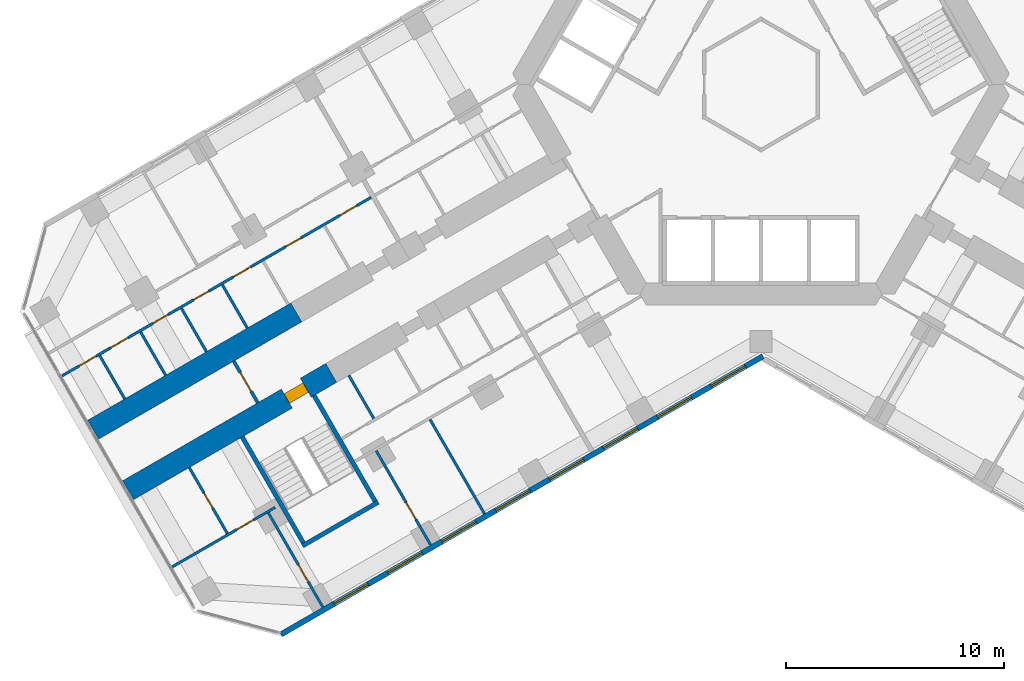
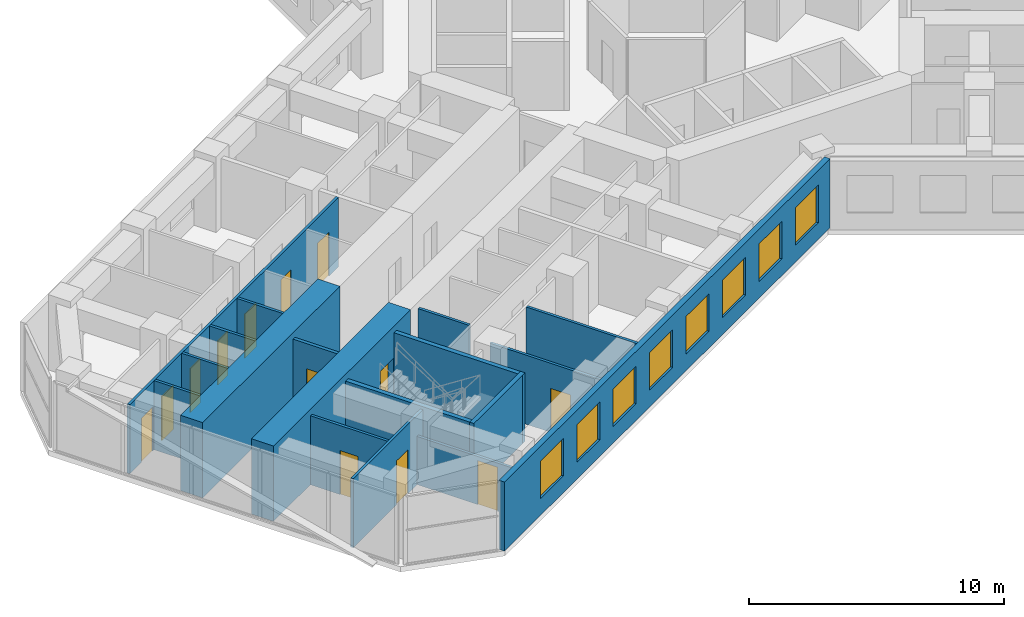
# One storey, part 10 of 21: 18 walls, 13 doors, 8 windows, 21 openings.
"""IFC4 building model written with IfcOpenShell, lengths in metres."""

from ifc_helpers import new_model, si_unit, direction, frame, frame_2d, origin, place, context, subcontext, project, spatial, rectangle, extrude, material, layer, layer_set, type_object, element, fill, save


model = new_model("IFC4")

# Units and contexts
model_context = context("Model", 3, precision=1e-05, world=origin(), true_north=direction((0.0, 1.0)))
body_context = subcontext(model_context, "Body", "Model", "MODEL_VIEW")
ifc_project = project(units=[si_unit("LENGTHUNIT", "METRE"), si_unit("AREAUNIT", "SQUARE_METRE"), si_unit("VOLUMEUNIT", "CUBIC_METRE"), si_unit("PLANEANGLEUNIT", "RADIAN"), si_unit("MASSUNIT", "GRAM", prefix="KILO")], contexts=[model_context])

# Site, building, storey
site_placement = place(None, origin())
site = spatial("IfcSite", under=ifc_project, at=site_placement, CompositionType="ELEMENT")
building_placement = place(site_placement, origin())
building = spatial("IfcBuilding", under=site, at=building_placement, Name="Kosmar Iwan School Tower", CompositionType="ELEMENT")
storey_placement = place(building_placement, frame((0.0, 0.0, 109.60009765625)))
storey = spatial("IfcBuildingStorey", under=building, at=storey_placement, Name="L27", CompositionType="ELEMENT", Elevation=109.60009765625)

# Wall, opening, door
ifc_material_1 = material(Name="Concrete C50/60", Category="concrete")
ifc_layer_1 = layer(ifc_material_1, 1.0)
ifc_layer_set_1 = layer_set([ifc_layer_1], Name="Corridor buttress wall 1000")
wall_type_1 = type_object("IfcWallType", Name="Corridor buttress wall 1000", PredefinedType="SHEAR", material=ifc_layer_set_1)
wall_1_placement = place(storey_placement, frame((-19.681396484375, -13.210693359375, 0.0), z_axis=(0.0, 0.0, 1.0), x_axis=(-0.866028186671, -0.499995179869, 0.0)))
wall_1 = element("IfcWall", 1, at=wall_1_placement, inside=storey, type_object=wall_type_1, Name="Corridor wall BL bay 3", PredefinedType="SHEAR", context=body_context, shape_type="SweptSolid", body=[
    extrude(rectangle(XDim=10.7451171875, YDim=1.0, at=frame_2d((5.37255859375, 0.0))), origin(), (0.0, 0.0, 1.0), 3.599853515625),
])
opening_1_placement = place(wall_1_placement, frame((1.35009765625, 0.0, 0.0)))
opening_1 = element("IfcOpeningElement", 2, at=opening_1_placement, cuts=wall_1, Name="Opening D6", PredefinedType="OPENING", context=body_context, shape_type="SweptSolid", body=[
    extrude(rectangle(XDim=1.0, YDim=2.10009765625, at=frame_2d((0.5, 1.050048828125))), frame((0.0, 0.511962890625, 0.0), z_axis=(0.0, -1.0, 0.0), x_axis=(1.0, 0.0, 0.0)), (0.0, 0.0, 1.0), 1.02392578125),
])
ifc_material_2 = material(Name="Steel fire door", Category="steel")
door_type_1 = type_object("IfcDoorType", Name="Stair door 1000x2100", OperationType="SINGLE_SWING_LEFT", PredefinedType="DOOR", material=ifc_material_2)
door_1_placement = place(opening_1_placement, origin())
door_1 = element("IfcDoor", 3, at=door_1_placement, inside=storey, type_object=door_type_1, Name="Stair WS2 door L27", OperationType="SINGLE_SWING_LEFT", OverallHeight=2.10009765625, OverallWidth=1.0, PredefinedType="DOOR", context=body_context, shape_type="SweptSolid", body=[
    extrude(rectangle(XDim=1.0, YDim=2.10009765625, at=frame_2d((0.5, 1.050048828125))), frame((0.0, 0.25, 0.0), z_axis=(0.0, -1.0, 0.0), x_axis=(1.0, 0.0, 0.0)), (0.0, 0.0, 1.0), 0.5),
])
fill(opening_1, door_1)

# Wall
wall_2_placement = place(storey_placement, frame((-21.281494140625, -10.439453125, 0.0), z_axis=(0.0, 0.0, 1.0), x_axis=(-0.866032345022, -0.499987977232, 0.0)))
element("IfcWall", 4, at=wall_2_placement, inside=storey, type_object=wall_type_1, Name="Corridor wall BR bay 3", PredefinedType="SHEAR", context=body_context, shape_type="SweptSolid", body=[
    extrude(rectangle(XDim=10.744873046875, YDim=1.0, at=frame_2d((5.37255859375, 0.0))), origin(), (0.0, 0.0, 1.0), 3.599853515625),
])

# Wall, opening, door
ifc_material_3 = material(Name="Gypsum board on steel studs, fire-rated", Category="steel")
ifc_layer_2 = layer(ifc_material_3, 0.14990234375)
ifc_layer_set_2 = layer_set([ifc_layer_2], Name="Corridor end wall 150")
wall_type_2 = type_object("IfcWallType", Name="Corridor end wall 150", PredefinedType="PARTITIONING", material=ifc_layer_set_2)
wall_3_placement = place(storey_placement, frame((-24.149169921875, -12.67236328125, 0.0), z_axis=(0.0, 0.0, 1.0), x_axis=(0.50002983664, -0.866008176907, 0.0)))
wall_3 = element("IfcWall", 5, at=wall_3_placement, inside=storey, type_object=wall_type_2, Name="Partition L27-B-CE", PredefinedType="PARTITIONING", context=body_context, shape_type="SweptSolid", body=[
    extrude(rectangle(XDim=2.199951171875, YDim=0.14990234375, at=frame_2d((1.10009765625, 0.0))), origin(), (0.0, 0.0, 1.0), 3.2998046875),
])
opening_2_placement = place(wall_3_placement, frame((0.60009765625, 0.0, 0.0)))
opening_2 = element("IfcOpeningElement", 6, at=opening_2_placement, cuts=wall_3, Name="Opening D13", PredefinedType="OPENING", context=body_context, shape_type="SweptSolid", body=[
    extrude(rectangle(XDim=1.0, YDim=2.10009765625, at=frame_2d((0.5, 1.050048828125))), frame((0.0, 0.0869140625, 0.0), z_axis=(0.0, -1.0, 0.0), x_axis=(1.0, 0.0, 0.0)), (0.0, 0.0, 1.0), 0.173828125),
])
ifc_material_4 = material(Name="Timber fire door with vision panel", Category="wood")
door_type_2 = type_object("IfcDoorType", Name="Corridor end door 1000x2100", OperationType="SINGLE_SWING_LEFT", PredefinedType="DOOR", material=ifc_material_4)
door_2_placement = place(opening_2_placement, origin())
door_2 = element("IfcDoor", 7, at=door_2_placement, inside=storey, type_object=door_type_2, Name="Reading room door L27-B", OperationType="SINGLE_SWING_LEFT", OverallHeight=2.10009765625, OverallWidth=1.0, PredefinedType="DOOR", context=body_context, shape_type="SweptSolid", body=[
    extrude(rectangle(XDim=1.0, YDim=2.10009765625, at=frame_2d((0.5, 1.050048828125))), frame((0.0, 0.02490234375, 0.0), z_axis=(0.0, -1.0, 0.0), x_axis=(1.0, 0.0, 0.0)), (0.0, 0.0, 1.0), 0.050048828125),
])
fill(opening_2, door_2)

# Walls
ifc_material_5 = material(Name="Gypsum board on steel studs", Category="steel")
ifc_layer_3 = layer(ifc_material_5, 0.1201171875)
ifc_layer_set_3 = layer_set([ifc_layer_3], Name="Dwelling partition 120")
wall_type_3 = type_object("IfcWallType", Name="Dwelling partition 120", PredefinedType="PARTITIONING", material=ifc_layer_set_3)
wall_4_placement = place(storey_placement, frame((-15.158447265625, -15.344970703125, 0.0), z_axis=(0.0, 0.0, 1.0), x_axis=(0.500011847778, -0.866018563358, 0.0)))
element("IfcWall", 8, at=wall_4_placement, inside=storey, type_object=wall_type_3, Name="Partition L27-BL2-X1", PredefinedType="PARTITIONING", context=body_context, shape_type="SweptSolid", body=[
    extrude(rectangle(XDim=4.990234375, YDim=0.1201171875, at=frame_2d((2.4951171875, 0.0))), origin(), (0.0, 0.0, 1.0), 3.2998046875),
])
wall_5_placement = place(storey_placement, frame((-18.877197265625, -13.32373046875, 0.0), z_axis=(0.0, 0.0, 1.0), x_axis=(0.500014693593, -0.866016920268, 0.0)))
element("IfcWall", 9, at=wall_5_placement, inside=storey, type_object=wall_type_3, Name="Partition L27-BL2-Y4", PredefinedType="PARTITIONING", context=body_context, shape_type="SweptSolid", body=[
    extrude(rectangle(XDim=2.2900390625, YDim=0.1201171875, at=frame_2d((1.14501953125, 0.0))), origin(), (0.0, 0.0, 1.0), 3.2998046875),
])

# Wall, opening, door
wall_6_placement = place(storey_placement, frame((-17.62646484375, -16.77001953125, 0.0), z_axis=(0.0, 0.0, 1.0), x_axis=(0.499975153383, -0.86603974851, 0.0)))
wall_6 = element("IfcWall", 10, at=wall_6_placement, inside=storey, type_object=wall_type_3, Name="Partition L27-BL2-TB", PredefinedType="PARTITIONING", context=body_context, shape_type="SweptSolid", body=[
    extrude(rectangle(XDim=4.989990234375, YDim=0.1201171875, at=frame_2d((2.4951171875, 0.0))), origin(), (0.0, 0.0, 1.0), 3.2998046875),
])
opening_3_placement = place(wall_6_placement, frame((2.739990234375, 0.0, 0.0)))
opening_3 = element("IfcOpeningElement", 11, at=opening_3_placement, cuts=wall_6, Name="Opening D2", PredefinedType="OPENING", context=body_context, shape_type="SweptSolid", body=[
    extrude(rectangle(XDim=0.89990234375, YDim=2.10009765625, at=frame_2d((0.449951171875, 1.050048828125))), frame((0.0, 0.072021484375, 0.0), z_axis=(0.0, -1.0, 0.0), x_axis=(1.0, 0.0, 0.0)), (0.0, 0.0, 1.0), 0.14404296875),
])
ifc_material_6 = material(Name="Timber door in timber frame", Category="wood")
door_type_3 = type_object("IfcDoorType", Name="Internal door 900x2100", OperationType="SINGLE_SWING_LEFT", PredefinedType="DOOR", material=ifc_material_6)
door_3_placement = place(opening_3_placement, origin())
door_3 = element("IfcDoor", 12, at=door_3_placement, inside=storey, type_object=door_type_3, Name="Study door L27-BL2-F2", OperationType="SINGLE_SWING_RIGHT", OverallHeight=2.10009765625, OverallWidth=0.89990234375, PredefinedType="DOOR", context=body_context, shape_type="SweptSolid", body=[
    extrude(rectangle(XDim=0.89990234375, YDim=2.10009765625, at=frame_2d((0.449951171875, 1.050048828125))), frame((0.0, 0.02490234375, 0.0), z_axis=(0.0, -1.0, 0.0), x_axis=(1.0, 0.0, 0.0)), (0.0, 0.0, 1.0), 0.050048828125),
])
fill(opening_3, door_3)

wall_7_placement = place(storey_placement, frame((-22.562744140625, -19.6201171875, 0.0), z_axis=(0.0, 0.0, 1.0), x_axis=(0.499996339024, -0.86602751744, 0.0)))
wall_7 = element("IfcWall", 13, at=wall_7_placement, inside=storey, type_object=wall_type_3, Name="Partition L27-BL2-TX", PredefinedType="PARTITIONING", context=body_context, shape_type="SweptSolid", body=[
    extrude(rectangle(XDim=4.98974609375, YDim=0.1201171875, at=frame_2d((2.494873046875, 0.0))), origin(), (0.0, 0.0, 1.0), 2.2998046875),
])
opening_4_placement = place(wall_7_placement, frame((2.739990234375, 0.0, 0.0)))
opening_4 = element("IfcOpeningElement", 14, at=opening_4_placement, cuts=wall_7, Name="Opening D2", PredefinedType="OPENING", context=body_context, shape_type="SweptSolid", body=[
    extrude(rectangle(XDim=0.89990234375, YDim=2.10009765625, at=frame_2d((0.449951171875, 1.050048828125))), frame((0.0, 0.072021484375, 0.0), z_axis=(0.0, -1.0, 0.0), x_axis=(1.0, 0.0, 0.0)), (0.0, 0.0, 1.0), 0.14404296875),
])
door_4_placement = place(opening_4_placement, origin())
door_4 = element("IfcDoor", 15, at=door_4_placement, inside=storey, type_object=door_type_3, Name="Study door L27-BL2-T1", OperationType="SINGLE_SWING_RIGHT", OverallHeight=2.10009765625, OverallWidth=0.89990234375, PredefinedType="DOOR", context=body_context, shape_type="SweptSolid", body=[
    extrude(rectangle(XDim=0.89990234375, YDim=2.10009765625, at=frame_2d((0.449951171875, 1.050048828125))), frame((0.0, 0.02490234375, 0.0), z_axis=(0.0, -1.0, 0.0), x_axis=(1.0, 0.0, 0.0)), (0.0, 0.0, 1.0), 0.050048828125),
])
fill(opening_4, door_4)

wall_8_placement = place(storey_placement, frame((-22.246337890625, -19.3681640625, 0.0), z_axis=(0.0, 0.0, 1.0), x_axis=(-0.866035508231, -0.499982498177, 0.0)))
wall_8 = element("IfcWall", 16, at=wall_8_placement, inside=storey, type_object=wall_type_3, Name="Partition L27-BL2-TW", PredefinedType="PARTITIONING", context=body_context, shape_type="SweptSolid", body=[
    extrude(rectangle(XDim=5.445068359375, YDim=0.1201171875, at=frame_2d((2.72265625, 0.0))), origin(), (0.0, 0.0, 1.0), 3.2998046875),
])
opening_5_placement = place(wall_8_placement, frame((1.14990234375, 0.0, 0.0)))
opening_5 = element("IfcOpeningElement", 17, at=opening_5_placement, cuts=wall_8, Name="Opening D2", PredefinedType="OPENING", context=body_context, shape_type="SweptSolid", body=[
    extrude(rectangle(XDim=0.89990234375, YDim=2.10009765625, at=frame_2d((0.449951171875, 1.050048828125))), frame((0.0, 0.072021484375, 0.0), z_axis=(0.0, -1.0, 0.0), x_axis=(1.0, 0.0, 0.0)), (0.0, 0.0, 1.0), 0.14404296875),
])
door_5_placement = place(opening_5_placement, origin())
door_5 = element("IfcDoor", 18, at=door_5_placement, inside=storey, type_object=door_type_3, Name="Dressing room door L27-BL2-T3", OperationType="SINGLE_SWING_LEFT", OverallHeight=2.10009765625, OverallWidth=0.89990234375, PredefinedType="DOOR", context=body_context, shape_type="SweptSolid", body=[
    extrude(rectangle(XDim=0.89990234375, YDim=2.10009765625, at=frame_2d((0.449951171875, 1.050048828125))), frame((0.0, 0.02490234375, 0.0), z_axis=(0.0, -1.0, 0.0), x_axis=(1.0, 0.0, 0.0)), (0.0, 0.0, 1.0), 0.050048828125),
])
fill(opening_5, door_5)

wall_9_placement = place(storey_placement, frame((-26.1865234375, -17.543701171875, 0.0), z_axis=(0.0, 0.0, 1.0), x_axis=(0.50002117804, -0.866013176292, 0.0)))
wall_9 = element("IfcWall", 19, at=wall_9_placement, inside=storey, type_object=wall_type_3, Name="Partition L27-BL2-TY", PredefinedType="PARTITIONING", context=body_context, shape_type="SweptSolid", body=[
    extrude(rectangle(XDim=3.489990234375, YDim=0.1201171875, at=frame_2d((1.7451171875, 0.0))), origin(), (0.0, 0.0, 1.0), 3.2998046875),
])
opening_6_placement = place(wall_9_placement, frame((1.344970703125, 0.0, 0.0)))
opening_6 = element("IfcOpeningElement", 20, at=opening_6_placement, cuts=wall_9, Name="Opening D3", PredefinedType="OPENING", context=body_context, shape_type="SweptSolid", body=[
    extrude(rectangle(XDim=0.800048828125, YDim=2.10009765625, at=frame_2d((0.39990234375, 1.050048828125))), frame((0.0, 0.072021484375, 0.0), z_axis=(0.0, -1.0, 0.0), x_axis=(1.0, 0.0, 0.0)), (0.0, 0.0, 1.0), 0.14404296875),
])
ifc_material_7 = material(Name="Timber door in timber frame", Category="wood")
door_type_4 = type_object("IfcDoorType", Name="Sanitary room door 800x2100", OperationType="SINGLE_SWING_LEFT", PredefinedType="DOOR", material=ifc_material_7)
door_6_placement = place(opening_6_placement, origin())
door_6 = element("IfcDoor", 21, at=door_6_placement, inside=storey, type_object=door_type_4, Name="Shower room door L27-BL2-T4", OperationType="SINGLE_SWING_LEFT", OverallHeight=2.10009765625, OverallWidth=0.800048828125, PredefinedType="DOOR", context=body_context, shape_type="SweptSolid", body=[
    extrude(rectangle(XDim=0.800048828125, YDim=2.10009765625, at=frame_2d((0.39990234375, 1.050048828125))), frame((0.0, 0.02490234375, 0.0), z_axis=(0.0, -1.0, 0.0), x_axis=(1.0, 0.0, 0.0)), (0.0, 0.0, 1.0), 0.050048828125),
])
fill(opening_6, door_6)

# Wall, openings, doors
wall_10_placement = place(storey_placement, frame((-17.856689453125, -5.171142578125, 0.0), z_axis=(0.0, 0.0, 1.0), x_axis=(-0.866023907196, -0.500002592159, 0.0)))
wall_10 = element("IfcWall", 22, at=wall_10_placement, inside=storey, type_object=wall_type_3, Name="Partition L27-BR2-W1", PredefinedType="PARTITIONING", context=body_context, shape_type="SweptSolid", body=[
    extrude(rectangle(XDim=16.34521484375, YDim=0.1201171875, at=frame_2d((8.172607421875, 0.0))), origin(), (0.0, 0.0, 1.0), 3.2998046875),
])
opening_7_placement = place(wall_10_placement, frame((0.75, 0.0, 0.0)))
opening_7 = element("IfcOpeningElement", 23, at=opening_7_placement, cuts=wall_10, Name="Opening D2", PredefinedType="OPENING", context=body_context, shape_type="SweptSolid", body=[
    extrude(rectangle(XDim=0.89990234375, YDim=2.10009765625, at=frame_2d((0.449951171875, 1.050048828125))), frame((0.0, 0.072021484375, 0.0), z_axis=(0.0, -1.0, 0.0), x_axis=(1.0, 0.0, 0.0)), (0.0, 0.0, 1.0), 0.14404296875),
])
opening_8_placement = place(wall_10_placement, frame((3.72119140625, 0.0, 0.0)))
opening_8 = element("IfcOpeningElement", 24, at=opening_8_placement, cuts=wall_10, Name="Opening D3", PredefinedType="OPENING", context=body_context, shape_type="SweptSolid", body=[
    extrude(rectangle(XDim=0.800048828125, YDim=2.10009765625, at=frame_2d((0.39990234375, 1.050048828125))), frame((0.0, 0.072021484375, 0.0), z_axis=(0.0, -1.0, 0.0), x_axis=(1.0, 0.0, 0.0)), (0.0, 0.0, 1.0), 0.14404296875),
])
opening_9_placement = place(wall_10_placement, frame((6.373046875, 0.0, 0.0)))
opening_9 = element("IfcOpeningElement", 25, at=opening_9_placement, cuts=wall_10, Name="Opening D2", PredefinedType="OPENING", context=body_context, shape_type="SweptSolid", body=[
    extrude(rectangle(XDim=0.89990234375, YDim=2.10009765625, at=frame_2d((0.449951171875, 1.050048828125))), frame((0.0, 0.072021484375, 0.0), z_axis=(0.0, -1.0, 0.0), x_axis=(1.0, 0.0, 0.0)), (0.0, 0.0, 1.0), 0.14404296875),
])
opening_10_placement = place(wall_10_placement, frame((8.584716796875, 0.0, 0.0)))
opening_10 = element("IfcOpeningElement", 26, at=opening_10_placement, cuts=wall_10, Name="Opening D3", PredefinedType="OPENING", context=body_context, shape_type="SweptSolid", body=[
    extrude(rectangle(XDim=0.800048828125, YDim=2.10009765625, at=frame_2d((0.39990234375, 1.050048828125))), frame((0.0, 0.072021484375, 0.0), z_axis=(0.0, -1.0, 0.0), x_axis=(1.0, 0.0, 0.0)), (0.0, 0.0, 1.0), 0.14404296875),
])
opening_11_placement = place(wall_10_placement, frame((10.74609375, 0.0, 0.0)))
opening_11 = element("IfcOpeningElement", 27, at=opening_11_placement, cuts=wall_10, Name="Opening D3", PredefinedType="OPENING", context=body_context, shape_type="SweptSolid", body=[
    extrude(rectangle(XDim=0.800048828125, YDim=2.10009765625, at=frame_2d((0.39990234375, 1.050048828125))), frame((0.0, 0.072021484375, 0.0), z_axis=(0.0, -1.0, 0.0), x_axis=(1.0, 0.0, 0.0)), (0.0, 0.0, 1.0), 0.14404296875),
])
opening_12_placement = place(wall_10_placement, frame((12.857666015625, 0.0, 0.0)))
opening_12 = element("IfcOpeningElement", 28, at=opening_12_placement, cuts=wall_10, Name="Opening D2", PredefinedType="OPENING", context=body_context, shape_type="SweptSolid", body=[
    extrude(rectangle(XDim=0.89990234375, YDim=2.10009765625, at=frame_2d((0.449951171875, 1.050048828125))), frame((0.0, 0.072021484375, 0.0), z_axis=(0.0, -1.0, 0.0), x_axis=(1.0, 0.0, 0.0)), (0.0, 0.0, 1.0), 0.14404296875),
])
opening_13_placement = place(wall_10_placement, frame((14.548583984375, 0.0, 0.0)))
opening_13 = element("IfcOpeningElement", 29, at=opening_13_placement, cuts=wall_10, Name="Opening D2", PredefinedType="OPENING", context=body_context, shape_type="SweptSolid", body=[
    extrude(rectangle(XDim=0.89990234375, YDim=2.10009765625, at=frame_2d((0.449951171875, 1.050048828125))), frame((0.0, 0.072021484375, 0.0), z_axis=(0.0, -1.0, 0.0), x_axis=(1.0, 0.0, 0.0)), (0.0, 0.0, 1.0), 0.14404296875),
])
door_7_placement = place(opening_7_placement, origin())
door_7 = element("IfcDoor", 30, at=door_7_placement, inside=storey, type_object=door_type_3, Name="Entrance hall door L27-BR2-S1", OperationType="SINGLE_SWING_RIGHT", OverallHeight=2.10009765625, OverallWidth=0.89990234375, PredefinedType="DOOR", context=body_context, shape_type="SweptSolid", body=[
    extrude(rectangle(XDim=0.89990234375, YDim=2.10009765625, at=frame_2d((0.449951171875, 1.050048828125))), frame((0.0, 0.02490234375, 0.0), z_axis=(0.0, -1.0, 0.0), x_axis=(1.0, 0.0, 0.0)), (0.0, 0.0, 1.0), 0.050048828125),
])
fill(opening_7, door_7)
door_8_placement = place(opening_9_placement, origin())
door_8 = element("IfcDoor", 31, at=door_8_placement, inside=storey, type_object=door_type_3, Name="Pantry door L27-BR2-S3", OperationType="SINGLE_SWING_RIGHT", OverallHeight=2.10009765625, OverallWidth=0.89990234375, PredefinedType="DOOR", context=body_context, shape_type="SweptSolid", body=[
    extrude(rectangle(XDim=0.89990234375, YDim=2.10009765625, at=frame_2d((0.449951171875, 1.050048828125))), frame((0.0, 0.02490234375, 0.0), z_axis=(0.0, -1.0, 0.0), x_axis=(1.0, 0.0, 0.0)), (0.0, 0.0, 1.0), 0.050048828125),
])
fill(opening_9, door_8)
door_9_placement = place(opening_12_placement, origin())
door_9 = element("IfcDoor", 32, at=door_9_placement, inside=storey, type_object=door_type_3, Name="Utility room door L27-BR2-S6", OperationType="SINGLE_SWING_LEFT", OverallHeight=2.10009765625, OverallWidth=0.89990234375, PredefinedType="DOOR", context=body_context, shape_type="SweptSolid", body=[
    extrude(rectangle(XDim=0.89990234375, YDim=2.10009765625, at=frame_2d((0.449951171875, 1.050048828125))), frame((0.0, 0.02490234375, 0.0), z_axis=(0.0, -1.0, 0.0), x_axis=(1.0, 0.0, 0.0)), (0.0, 0.0, 1.0), 0.050048828125),
])
fill(opening_12, door_9)
door_10_placement = place(opening_13_placement, origin())
door_10 = element("IfcDoor", 33, at=door_10_placement, inside=storey, type_object=door_type_3, Name="Dressing room door L27-BR2-S7", OperationType="SINGLE_SWING_LEFT", OverallHeight=2.10009765625, OverallWidth=0.89990234375, PredefinedType="DOOR", context=body_context, shape_type="SweptSolid", body=[
    extrude(rectangle(XDim=0.89990234375, YDim=2.10009765625, at=frame_2d((0.449951171875, 1.050048828125))), frame((0.0, 0.02490234375, 0.0), z_axis=(0.0, -1.0, 0.0), x_axis=(1.0, 0.0, 0.0)), (0.0, 0.0, 1.0), 0.050048828125),
])
fill(opening_13, door_10)
door_11_placement = place(opening_8_placement, origin())
door_11 = element("IfcDoor", 34, at=door_11_placement, inside=storey, type_object=door_type_4, Name="Bathroom door L27-BR2-S2", OperationType="SINGLE_SWING_LEFT", OverallHeight=2.10009765625, OverallWidth=0.800048828125, PredefinedType="DOOR", context=body_context, shape_type="SweptSolid", body=[
    extrude(rectangle(XDim=0.800048828125, YDim=2.10009765625, at=frame_2d((0.39990234375, 1.050048828125))), frame((0.0, 0.02490234375, 0.0), z_axis=(0.0, -1.0, 0.0), x_axis=(1.0, 0.0, 0.0)), (0.0, 0.0, 1.0), 0.050048828125),
])
fill(opening_8, door_11)
door_12_placement = place(opening_10_placement, origin())
door_12 = element("IfcDoor", 35, at=door_12_placement, inside=storey, type_object=door_type_4, Name="WC door L27-BR2-S4", OperationType="SINGLE_SWING_LEFT", OverallHeight=2.10009765625, OverallWidth=0.800048828125, PredefinedType="DOOR", context=body_context, shape_type="SweptSolid", body=[
    extrude(rectangle(XDim=0.800048828125, YDim=2.10009765625, at=frame_2d((0.39990234375, 1.050048828125))), frame((0.0, 0.02490234375, 0.0), z_axis=(0.0, -1.0, 0.0), x_axis=(1.0, 0.0, 0.0)), (0.0, 0.0, 1.0), 0.050048828125),
])
fill(opening_10, door_12)
door_13_placement = place(opening_11_placement, origin())
door_13 = element("IfcDoor", 36, at=door_13_placement, inside=storey, type_object=door_type_4, Name="Store door L27-BR2-S5", OperationType="SINGLE_SWING_RIGHT", OverallHeight=2.10009765625, OverallWidth=0.800048828125, PredefinedType="DOOR", context=body_context, shape_type="SweptSolid", body=[
    extrude(rectangle(XDim=0.800048828125, YDim=2.10009765625, at=frame_2d((0.39990234375, 1.050048828125))), frame((0.0, 0.02490234375, 0.0), z_axis=(0.0, -1.0, 0.0), x_axis=(1.0, 0.0, 0.0)), (0.0, 0.0, 1.0), 0.050048828125),
])
fill(opening_11, door_13)

# Walls
for number, where, z_axis, x_axis, name in (
    (37, (-23.526611328125, -11.158203125, 0.0), (0.0, 0.0, 1.0), (-0.500014693593, 0.866016920268, 0.0), "Partition L27-BR2-Y3"),
    (38, (-25.398681640625, -12.239013671875, 0.0), (0.0, 0.0, 1.0), (-0.500014693593, 0.866016920268, 0.0), "Partition L27-BR2-Y4"),
    (39, (-27.2705078125, -13.31982421875, 0.0), (0.0, 0.0, 1.0), (-0.500014693593, 0.866016920268, 0.0), "Partition L27-BR2-Y5"),
    (40, (-29.142578125, -14.400634765625, 0.0), (0.0, 0.0, 1.0), (-0.500014693593, 0.866016920268, 0.0), "Partition L27-BR2-Y6"),
):
    element("IfcWall", number, at=place(storey_placement, frame(where, z_axis=z_axis, x_axis=x_axis)), inside=storey, type_object=wall_type_3, Name=name, PredefinedType="PARTITIONING", context=body_context, shape_type="SweptSolid", body=[
        extrude(rectangle(XDim=2.2900390625, YDim=0.1201171875, at=frame_2d((1.14501953125, 0.0))), origin(), (0.0, 0.0, 1.0), 3.2998046875),
    ])
ifc_material_8 = material(Name="Concrete C35/45", Category="concrete")
ifc_layer_4 = layer(ifc_material_8, 0.199951171875)
ifc_layer_set_4 = layer_set([ifc_layer_4], Name="Escape stair wall 200")
wall_type_4 = type_object("IfcWallType", Name="Escape stair wall 200", PredefinedType="SHEAR", material=ifc_layer_set_4)
for number, where, z_axis, x_axis, name in (
    (41, (-20.470703125, -14.24365234375, 0.0), (0.0, 0.0, 1.0), (0.499987231761, -0.866032775405, 0.0), "Stair WS2 wall"),
    (42, (-23.76171875, -16.1435546875, 0.0), (0.0, 0.0, 1.0), (0.500018801468, -0.86601454848, 0.0), "Stair WS2 wall"),
):
    element("IfcWall", number, at=place(storey_placement, frame(where, z_axis=z_axis, x_axis=x_axis)), inside=storey, type_object=wall_type_4, Name=name, PredefinedType="SHEAR", context=body_context, shape_type="SweptSolid", body=[
        extrude(rectangle(XDim=5.800048828125, YDim=0.199951171875, at=frame_2d((2.89990234375, 0.0))), origin(), (0.0, 0.0, 1.0), 3.27978515625),
    ])
wall_11_placement = place(storey_placement, frame((-17.5341796875, -19.1298828125, 0.0), z_axis=(0.0, 0.0, 1.0), x_axis=(-0.866026010844, -0.49999894854, 0.0)))
element("IfcWall", 43, at=wall_11_placement, inside=storey, type_object=wall_type_4, Name="Stair WS2 wall", PredefinedType="SHEAR", context=body_context, shape_type="SweptSolid", body=[
    extrude(rectangle(XDim=4.0, YDim=0.199951171875, at=frame_2d((2.0, 0.0))), origin(), (0.0, 0.0, 1.0), 3.27978515625),
])

# Wall, openings, windows
ifc_material_9 = material(Name="Black aluminium rainscreen on insulated framing", Category="aluminium")
ifc_layer_5 = layer(ifc_material_9, 0.25)
ifc_layer_set_5 = layer_set([ifc_layer_5], Name="External wall rainscreen 250")
wall_type_5 = type_object("IfcWallType", Name="External wall rainscreen 250", PredefinedType="SOLIDWALL", material=ifc_layer_set_5)
wall_12_placement = place(storey_placement, frame((0.088134765625, -12.44873046875, 0.0), z_axis=(0.0, 0.0, 1.0), x_axis=(-0.866026390279, -0.499998291337, 0.0)))
wall_12 = element("IfcWall", 44, at=wall_12_placement, inside=storey, type_object=wall_type_5, Name="External wall BL L27", PredefinedType="SOLIDWALL", context=body_context, shape_type="SweptSolid", body=[
    extrude(rectangle(XDim=25.4873046875, YDim=0.25, at=frame_2d((12.74365234375, 0.0))), origin(), (0.0, 0.0, 1.0), 3.2998046875),
])
opening_14_placement = place(wall_12_placement, frame((0.927001953125, 0.0, 0.800048828125)))
opening_14 = element("IfcOpeningElement", 45, at=opening_14_placement, cuts=wall_12, Name="Opening W1", PredefinedType="OPENING", context=body_context, shape_type="SweptSolid", body=[
    extrude(rectangle(XDim=1.800048828125, YDim=1.800048828125, at=frame_2d((0.89990234375, 0.89990234375))), frame((0.0, 0.136962890625, 0.0), z_axis=(0.0, -1.0, 0.0), x_axis=(1.0, 0.0, 0.0)), (0.0, 0.0, 1.0), 0.27392578125),
])
opening_15_placement = place(wall_12_placement, frame((3.777099609375, 0.0, 0.800048828125)))
opening_15 = element("IfcOpeningElement", 46, at=opening_15_placement, cuts=wall_12, Name="Opening W1", PredefinedType="OPENING", context=body_context, shape_type="SweptSolid", body=[
    extrude(rectangle(XDim=1.800048828125, YDim=1.800048828125, at=frame_2d((0.89990234375, 0.89990234375))), frame((0.0, 0.136962890625, 0.0), z_axis=(0.0, -1.0, 0.0), x_axis=(1.0, 0.0, 0.0)), (0.0, 0.0, 1.0), 0.27392578125),
])
opening_16_placement = place(wall_12_placement, frame((6.626953125, 0.0, 0.800048828125)))
opening_16 = element("IfcOpeningElement", 47, at=opening_16_placement, cuts=wall_12, Name="Opening W1", PredefinedType="OPENING", context=body_context, shape_type="SweptSolid", body=[
    extrude(rectangle(XDim=1.800048828125, YDim=1.800048828125, at=frame_2d((0.89990234375, 0.89990234375))), frame((0.0, 0.136962890625, 0.0), z_axis=(0.0, -1.0, 0.0), x_axis=(1.0, 0.0, 0.0)), (0.0, 0.0, 1.0), 0.27392578125),
])
opening_17_placement = place(wall_12_placement, frame((9.47705078125, 0.0, 0.800048828125)))
opening_17 = element("IfcOpeningElement", 48, at=opening_17_placement, cuts=wall_12, Name="Opening W1", PredefinedType="OPENING", context=body_context, shape_type="SweptSolid", body=[
    extrude(rectangle(XDim=1.800048828125, YDim=1.800048828125, at=frame_2d((0.89990234375, 0.89990234375))), frame((0.0, 0.136962890625, 0.0), z_axis=(0.0, -1.0, 0.0), x_axis=(1.0, 0.0, 0.0)), (0.0, 0.0, 1.0), 0.27392578125),
])
opening_18_placement = place(wall_12_placement, frame((12.326904296875, 0.0, 0.800048828125)))
opening_18 = element("IfcOpeningElement", 49, at=opening_18_placement, cuts=wall_12, Name="Opening W1", PredefinedType="OPENING", context=body_context, shape_type="SweptSolid", body=[
    extrude(rectangle(XDim=1.800048828125, YDim=1.800048828125, at=frame_2d((0.89990234375, 0.89990234375))), frame((0.0, 0.136962890625, 0.0), z_axis=(0.0, -1.0, 0.0), x_axis=(1.0, 0.0, 0.0)), (0.0, 0.0, 1.0), 0.27392578125),
])
opening_19_placement = place(wall_12_placement, frame((15.177001953125, 0.0, 0.800048828125)))
opening_19 = element("IfcOpeningElement", 50, at=opening_19_placement, cuts=wall_12, Name="Opening W1", PredefinedType="OPENING", context=body_context, shape_type="SweptSolid", body=[
    extrude(rectangle(XDim=1.800048828125, YDim=1.800048828125, at=frame_2d((0.89990234375, 0.89990234375))), frame((0.0, 0.136962890625, 0.0), z_axis=(0.0, -1.0, 0.0), x_axis=(1.0, 0.0, 0.0)), (0.0, 0.0, 1.0), 0.27392578125),
])
opening_20_placement = place(wall_12_placement, frame((18.027099609375, 0.0, 0.800048828125)))
opening_20 = element("IfcOpeningElement", 51, at=opening_20_placement, cuts=wall_12, Name="Opening W1", PredefinedType="OPENING", context=body_context, shape_type="SweptSolid", body=[
    extrude(rectangle(XDim=1.800048828125, YDim=1.800048828125, at=frame_2d((0.89990234375, 0.89990234375))), frame((0.0, 0.136962890625, 0.0), z_axis=(0.0, -1.0, 0.0), x_axis=(1.0, 0.0, 0.0)), (0.0, 0.0, 1.0), 0.27392578125),
])
opening_21_placement = place(wall_12_placement, frame((20.876953125, 0.0, 0.800048828125)))
opening_21 = element("IfcOpeningElement", 52, at=opening_21_placement, cuts=wall_12, Name="Opening W1", PredefinedType="OPENING", context=body_context, shape_type="SweptSolid", body=[
    extrude(rectangle(XDim=1.800048828125, YDim=1.800048828125, at=frame_2d((0.89990234375, 0.89990234375))), frame((0.0, 0.136962890625, 0.0), z_axis=(0.0, -1.0, 0.0), x_axis=(1.0, 0.0, 0.0)), (0.0, 0.0, 1.0), 0.27392578125),
])
ifc_material_10 = material(Name="Black aluminium frame with dark triple glazing", Category="aluminium")
window_type = type_object("IfcWindowType", Name="Window 1800x1800", PartitioningType="SINGLE_PANEL", PredefinedType="WINDOW", material=ifc_material_10)
window_1_placement = place(opening_14_placement, origin())
window_1 = element("IfcWindow", 53, at=window_1_placement, inside=storey, type_object=window_type, Name="Window BL L27 -1", OverallHeight=1.800048828125, OverallWidth=1.800048828125, PartitioningType="SINGLE_PANEL", PredefinedType="WINDOW", context=body_context, shape_type="SweptSolid", body=[
    extrude(rectangle(XDim=1.800048828125, YDim=1.800048828125, at=frame_2d((0.89990234375, 0.89990234375))), frame((0.0, 0.030029296875, 0.0), z_axis=(0.0, -1.0, 0.0), x_axis=(1.0, 0.0, 0.0)), (0.0, 0.0, 1.0), 0.06005859375),
])
fill(opening_14, window_1)
window_2_placement = place(opening_15_placement, origin())
window_2 = element("IfcWindow", 54, at=window_2_placement, inside=storey, type_object=window_type, Name="Window BL L27 0", OverallHeight=1.800048828125, OverallWidth=1.800048828125, PartitioningType="SINGLE_PANEL", PredefinedType="WINDOW", context=body_context, shape_type="SweptSolid", body=[
    extrude(rectangle(XDim=1.800048828125, YDim=1.800048828125, at=frame_2d((0.89990234375, 0.89990234375))), frame((0.0, 0.030029296875, 0.0), z_axis=(0.0, -1.0, 0.0), x_axis=(1.0, 0.0, 0.0)), (0.0, 0.0, 1.0), 0.06005859375),
])
fill(opening_15, window_2)
window_3_placement = place(opening_16_placement, origin())
window_3 = element("IfcWindow", 55, at=window_3_placement, inside=storey, type_object=window_type, Name="Window BL L27 1", OverallHeight=1.800048828125, OverallWidth=1.800048828125, PartitioningType="SINGLE_PANEL", PredefinedType="WINDOW", context=body_context, shape_type="SweptSolid", body=[
    extrude(rectangle(XDim=1.800048828125, YDim=1.800048828125, at=frame_2d((0.89990234375, 0.89990234375))), frame((0.0, 0.030029296875, 0.0), z_axis=(0.0, -1.0, 0.0), x_axis=(1.0, 0.0, 0.0)), (0.0, 0.0, 1.0), 0.06005859375),
])
fill(opening_16, window_3)
window_4_placement = place(opening_17_placement, origin())
window_4 = element("IfcWindow", 56, at=window_4_placement, inside=storey, type_object=window_type, Name="Window BL L27 2", OverallHeight=1.800048828125, OverallWidth=1.800048828125, PartitioningType="SINGLE_PANEL", PredefinedType="WINDOW", context=body_context, shape_type="SweptSolid", body=[
    extrude(rectangle(XDim=1.800048828125, YDim=1.800048828125, at=frame_2d((0.89990234375, 0.89990234375))), frame((0.0, 0.030029296875, 0.0), z_axis=(0.0, -1.0, 0.0), x_axis=(1.0, 0.0, 0.0)), (0.0, 0.0, 1.0), 0.06005859375),
])
fill(opening_17, window_4)
window_5_placement = place(opening_18_placement, origin())
window_5 = element("IfcWindow", 57, at=window_5_placement, inside=storey, type_object=window_type, Name="Window BL L27 3", OverallHeight=1.800048828125, OverallWidth=1.800048828125, PartitioningType="SINGLE_PANEL", PredefinedType="WINDOW", context=body_context, shape_type="SweptSolid", body=[
    extrude(rectangle(XDim=1.800048828125, YDim=1.800048828125, at=frame_2d((0.89990234375, 0.89990234375))), frame((0.0, 0.030029296875, 0.0), z_axis=(0.0, -1.0, 0.0), x_axis=(1.0, 0.0, 0.0)), (0.0, 0.0, 1.0), 0.06005859375),
])
fill(opening_18, window_5)
window_6_placement = place(opening_19_placement, origin())
window_6 = element("IfcWindow", 58, at=window_6_placement, inside=storey, type_object=window_type, Name="Window BL L27 4", OverallHeight=1.800048828125, OverallWidth=1.800048828125, PartitioningType="SINGLE_PANEL", PredefinedType="WINDOW", context=body_context, shape_type="SweptSolid", body=[
    extrude(rectangle(XDim=1.800048828125, YDim=1.800048828125, at=frame_2d((0.89990234375, 0.89990234375))), frame((0.0, 0.030029296875, 0.0), z_axis=(0.0, -1.0, 0.0), x_axis=(1.0, 0.0, 0.0)), (0.0, 0.0, 1.0), 0.06005859375),
])
fill(opening_19, window_6)
window_7_placement = place(opening_20_placement, origin())
window_7 = element("IfcWindow", 59, at=window_7_placement, inside=storey, type_object=window_type, Name="Window BL L27 5", OverallHeight=1.800048828125, OverallWidth=1.800048828125, PartitioningType="SINGLE_PANEL", PredefinedType="WINDOW", context=body_context, shape_type="SweptSolid", body=[
    extrude(rectangle(XDim=1.800048828125, YDim=1.800048828125, at=frame_2d((0.89990234375, 0.89990234375))), frame((0.0, 0.030029296875, 0.0), z_axis=(0.0, -1.0, 0.0), x_axis=(1.0, 0.0, 0.0)), (0.0, 0.0, 1.0), 0.06005859375),
])
fill(opening_20, window_7)
window_8_placement = place(opening_21_placement, origin())
window_8 = element("IfcWindow", 60, at=window_8_placement, inside=storey, type_object=window_type, Name="Window BL L27 6", OverallHeight=1.800048828125, OverallWidth=1.800048828125, PartitioningType="SINGLE_PANEL", PredefinedType="WINDOW", context=body_context, shape_type="SweptSolid", body=[
    extrude(rectangle(XDim=1.800048828125, YDim=1.800048828125, at=frame_2d((0.89990234375, 0.89990234375))), frame((0.0, 0.030029296875, 0.0), z_axis=(0.0, -1.0, 0.0), x_axis=(1.0, 0.0, 0.0)), (0.0, 0.0, 1.0), 0.06005859375),
])
fill(opening_21, window_8)

save(model, "model.ifc")
